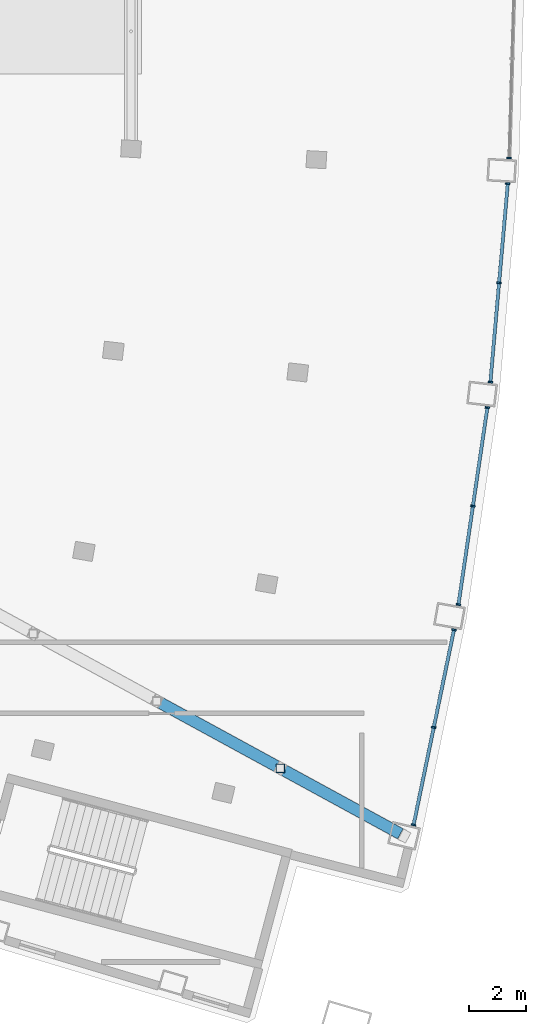
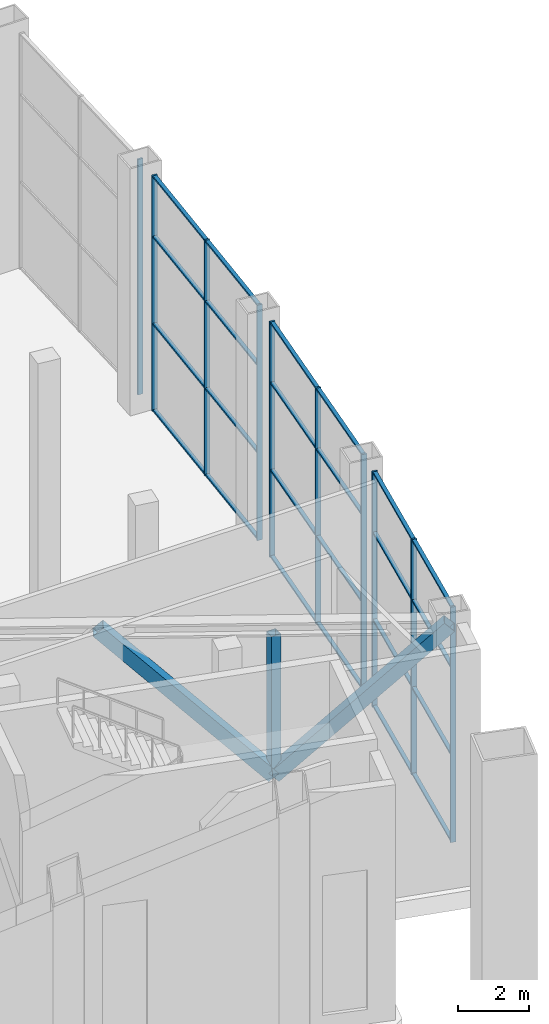
# One storey, part 9 of 25: 37 members, 4 elements without a shape of their own.
"""IFC4 building model written with IfcOpenShell, lengths in metres."""

from ifc_helpers import new_model, si_unit, direction, frame, origin, origin_2d, place, context, subcontext, project, spatial, rectangle, hollow_rectangle, extrude, material, layer, layer_set, material_profile, profile_set, type_object, element, aggregate, save


model = new_model("IFC4")

# Units and contexts
model_context = context("Model", 3, precision=1e-05, world=origin(), true_north=direction((0.0, 1.0)))
body_context = subcontext(model_context, "Body", "Model", "MODEL_VIEW")
ifc_project = project(units=[si_unit("LENGTHUNIT", "METRE"), si_unit("AREAUNIT", "SQUARE_METRE"), si_unit("VOLUMEUNIT", "CUBIC_METRE"), si_unit("PLANEANGLEUNIT", "RADIAN"), si_unit("MASSUNIT", "GRAM", prefix="KILO")], contexts=[model_context])

# Site, building, storey
site_placement = place(None, origin())
site = spatial("IfcSite", under=ifc_project, at=site_placement, CompositionType="ELEMENT")
building_placement = place(site_placement, origin())
building = spatial("IfcBuilding", under=site, at=building_placement, Name="Alderwake Tower", CompositionType="ELEMENT")
storey_placement = place(building_placement, frame((0.0, 0.0, 296.0)))
storey = spatial("IfcBuildingStorey", under=building, at=storey_placement, Name="L73", CompositionType="ELEMENT", Elevation=296.0)

# Curtain wall, members
ifc_material_1 = material(Name="Bronze tinted glass in aluminium frame", Category="aluminium")
ifc_layer = layer(ifc_material_1, 0.199951171875)
ifc_layer_set = layer_set([ifc_layer], Name="Curtain wall CW4 damper floor viewing glazing")
curtain_wall_type = type_object("IfcCurtainWallType", Name="Curtain wall CW4 damper floor viewing glazing", PredefinedType="NOTDEFINED", material=ifc_layer_set)
curtain_wall_1_placement = place(storey_placement, origin())
curtain_wall_1 = element("IfcCurtainWall", 1, at=curtain_wall_1_placement, inside=storey, type_object=curtain_wall_type, Name="Curtain wall 1", PredefinedType="NOTDEFINED")
ifc_material_2 = material(Name="Aluminium bronze anodised", Category="aluminium")
ifc_material_profile_1 = material_profile(ifc_material_2, rectangle(XDim=0.159912109375, YDim=0.06005859375, at=origin_2d()), Name="Mullion MUD 60x160")
ifc_profile_set_1 = profile_set([ifc_material_profile_1], Name="Aluminium bronze anodised")
member_type_1 = type_object("IfcMemberType", Name="Mullion MUD 60x160", PredefinedType="MULLION", material=ifc_profile_set_1)
member_1_placement = place(storey_placement, frame((52.065673828125, 30.0771484375, 0.0), z_axis=(0.0, 0.0, 1.0), x_axis=(-0.979228273012, 0.202760916683, 0.0)))
member_1 = element("IfcMember", 2, at=member_1_placement, type_object=member_type_1, Name="CW.01 mullion 1", PredefinedType="MULLION", context=body_context, shape_type="SweptSolid", body=[
    extrude(rectangle(XDim=0.159912109375, YDim=0.06005859375, at=origin_2d()), origin(), (0.0, 0.0, 1.0), 8.10009765625),
])
member_2_placement = place(storey_placement, frame((52.776123046875, 33.508544921875, 0.0), z_axis=(0.0, 0.0, 1.0), x_axis=(-0.979228273012, 0.202760916683, 0.0)))
member_2 = element("IfcMember", 3, at=member_2_placement, type_object=member_type_1, Name="CW.01 mullion 2", PredefinedType="MULLION", context=body_context, shape_type="SweptSolid", body=[
    extrude(rectangle(XDim=0.159912109375, YDim=0.06005859375, at=origin_2d()), origin(), (0.0, 0.0, 1.0), 8.10009765625),
])
member_3_placement = place(storey_placement, frame((53.486572265625, 36.93994140625, 0.0), z_axis=(0.0, 0.0, 1.0), x_axis=(-0.979228273012, 0.202760916683, 0.0)))
member_3 = element("IfcMember", 4, at=member_3_placement, type_object=member_type_1, Name="CW.01 mullion 3", PredefinedType="MULLION", context=body_context, shape_type="SweptSolid", body=[
    extrude(rectangle(XDim=0.159912109375, YDim=0.06005859375, at=origin_2d()), origin(), (0.0, 0.0, 1.0), 8.10009765625),
])

curtain_wall_2_placement = place(storey_placement, origin())
curtain_wall_2 = element("IfcCurtainWall", 5, at=curtain_wall_2_placement, inside=storey, type_object=curtain_wall_type, Name="Curtain wall 2", PredefinedType="NOTDEFINED")
member_4_placement = place(storey_placement, frame((53.643798828125, 37.8291015625, 0.0), z_axis=(0.0, 0.0, 1.0), x_axis=(-0.989386131779, 0.145310296412, 0.0)))
member_4 = element("IfcMember", 6, at=member_4_placement, type_object=member_type_1, Name="CW.02 mullion 1", PredefinedType="MULLION", context=body_context, shape_type="SweptSolid", body=[
    extrude(rectangle(XDim=0.159912109375, YDim=0.06005859375, at=origin_2d()), origin(), (0.0, 0.0, 1.0), 8.10009765625),
])
member_5_placement = place(storey_placement, frame((54.15283203125, 41.296142578125, 0.0), z_axis=(0.0, 0.0, 1.0), x_axis=(-0.989386131779, 0.145310296412, 0.0)))
member_5 = element("IfcMember", 7, at=member_5_placement, type_object=member_type_1, Name="CW.02 mullion 2", PredefinedType="MULLION", context=body_context, shape_type="SweptSolid", body=[
    extrude(rectangle(XDim=0.159912109375, YDim=0.06005859375, at=origin_2d()), origin(), (0.0, 0.0, 1.0), 8.10009765625),
])
member_6_placement = place(storey_placement, frame((54.662109375, 44.76318359375, 0.0), z_axis=(0.0, 0.0, 1.0), x_axis=(-0.989386131779, 0.145310296412, 0.0)))
member_6 = element("IfcMember", 8, at=member_6_placement, type_object=member_type_1, Name="CW.02 mullion 3", PredefinedType="MULLION", context=body_context, shape_type="SweptSolid", body=[
    extrude(rectangle(XDim=0.159912109375, YDim=0.06005859375, at=origin_2d()), origin(), (0.0, 0.0, 1.0), 8.10009765625),
])

curtain_wall_3_placement = place(storey_placement, origin())
curtain_wall_3 = element("IfcCurtainWall", 9, at=curtain_wall_3_placement, inside=storey, type_object=curtain_wall_type, Name="Curtain wall 3", PredefinedType="NOTDEFINED")
member_7_placement = place(storey_placement, frame((54.767333984375, 45.659912109375, 0.0), z_axis=(0.0, 0.0, 1.0), x_axis=(-0.996174205388, 0.087389659115, 0.0)))
member_7 = element("IfcMember", 10, at=member_7_placement, type_object=member_type_1, Name="CW.03 mullion 1", PredefinedType="MULLION", context=body_context, shape_type="SweptSolid", body=[
    extrude(rectangle(XDim=0.159912109375, YDim=0.06005859375, at=origin_2d()), origin(), (0.0, 0.0, 1.0), 8.10009765625),
])
member_8_placement = place(storey_placement, frame((55.073486328125, 49.150634765625, 0.0), z_axis=(0.0, 0.0, 1.0), x_axis=(-0.996174205388, 0.087389659115, 0.0)))
member_8 = element("IfcMember", 11, at=member_8_placement, type_object=member_type_1, Name="CW.03 mullion 2", PredefinedType="MULLION", context=body_context, shape_type="SweptSolid", body=[
    extrude(rectangle(XDim=0.159912109375, YDim=0.06005859375, at=origin_2d()), origin(), (0.0, 0.0, 1.0), 8.10009765625),
])
member_9_placement = place(storey_placement, frame((55.3798828125, 52.6416015625, 0.0), z_axis=(0.0, 0.0, 1.0), x_axis=(-0.996174205388, 0.087389659115, 0.0)))
member_9 = element("IfcMember", 12, at=member_9_placement, type_object=member_type_1, Name="CW.03 mullion 3", PredefinedType="MULLION", context=body_context, shape_type="SweptSolid", body=[
    extrude(rectangle(XDim=0.159912109375, YDim=0.06005859375, at=origin_2d()), origin(), (0.0, 0.0, 1.0), 8.10009765625),
])

# Curtain wall, member
curtain_wall_4_placement = place(storey_placement, origin())
curtain_wall_4 = element("IfcCurtainWall", 13, at=curtain_wall_4_placement, inside=storey, type_object=curtain_wall_type, Name="Curtain wall 4", PredefinedType="NOTDEFINED")
member_10_placement = place(storey_placement, frame((55.432373046875, 53.54296875, 0.0), z_axis=(0.0, 0.0, 1.0), x_axis=(-0.99957482948, 0.029157507941, 0.0)))
member_10 = element("IfcMember", 14, at=member_10_placement, type_object=member_type_1, Name="CW.04 mullion 1", PredefinedType="MULLION", context=body_context, shape_type="SweptSolid", body=[
    extrude(rectangle(XDim=0.159912109375, YDim=0.06005859375, at=origin_2d()), origin(), (0.0, 0.0, 1.0), 8.10009765625),
])
aggregate(curtain_wall_4, [member_10])

# Members
ifc_material_3 = material(Name="Steel ASTM A500 Grade C", Category="steel")
ifc_material_profile_2 = material_profile(ifc_material_3, hollow_rectangle(XDim=0.406494140625, YDim=0.406494140625, WallThickness=0.014892578125, at=origin_2d()), Name="HSS16X16X5/8")
ifc_profile_set_2 = profile_set([ifc_material_profile_2], Name="Steel ASTM A500 Grade C")
member_type_2 = type_object("IfcMemberType", Name="Outrigger truss diagonal HSS16X16X5/8", PredefinedType="BRACE", material=ifc_profile_set_2)
member_11_placement = place(storey_placement, frame((47.38330078125, 32.064453125, 2.7822265625), z_axis=(-0.612427707322, 0.334142153017, 0.716436546305), x_axis=(-0.478952298212, -0.877840928664, 0.0)))
element("IfcMember", 15, at=member_11_placement, inside=storey, type_object=member_type_2, Name="Outrigger truss diagonal DT73SF.D4", PredefinedType="BRACE", context=body_context, shape_type="SweptSolid", body=[
    extrude(hollow_rectangle(XDim=0.406494140625, YDim=0.406494140625, WallThickness=0.014892578125, at=origin_2d()), origin(), (0.0, 0.0, 1.0), 7.09814453125),
])
member_12_placement = place(storey_placement, frame((47.38330078125, 32.064453125, 2.7822265625), z_axis=(0.61244920085, -0.334135114632, 0.716421455254), x_axis=(0.478931570969, 0.877852237184, 0.0)))
element("IfcMember", 16, at=member_12_placement, inside=storey, type_object=member_type_2, Name="Outrigger truss diagonal DT73SF.D5", PredefinedType="BRACE", context=body_context, shape_type="SweptSolid", body=[
    extrude(hollow_rectangle(XDim=0.406494140625, YDim=0.406494140625, WallThickness=0.014892578125, at=origin_2d()), origin(), (0.0, 0.0, 1.0), 7.098388671875),
])
ifc_material_4 = material(Name="Steel ASTM A500 Grade C", Category="steel")
ifc_material_profile_3 = material_profile(ifc_material_4, hollow_rectangle(XDim=0.3046875, YDim=0.3046875, WallThickness=0.01171875, at=origin_2d()), Name="HSS12X12X1/2")
ifc_profile_set_3 = profile_set([ifc_material_profile_3], Name="Steel ASTM A500 Grade C")
member_type_3 = type_object("IfcMemberType", Name="Outrigger truss post HSS12X12X1/2", PredefinedType="POST", material=ifc_profile_set_3)
member_13_placement = place(storey_placement, frame((47.38330078125, 32.064453125, 3.0146484375), z_axis=(0.0, 0.0, 1.0), x_axis=(1.0, 0.0, 0.0)))
element("IfcMember", 17, at=member_13_placement, inside=storey, type_object=member_type_3, Name="Outrigger truss post DT73SF.P4", PredefinedType="POST", context=body_context, shape_type="SweptSolid", body=[
    extrude(hollow_rectangle(XDim=0.3046875, YDim=0.3046875, WallThickness=0.01171875, at=origin_2d()), origin(), (0.0, 0.0, 1.0), 4.620849609375),
])

# Member
ifc_material_5 = material(Name="Aluminium bronze anodised", Category="aluminium")
ifc_material_profile_4 = material_profile(ifc_material_5, rectangle(XDim=0.1201171875, YDim=0.06005859375, at=origin_2d()), Name="Transom TRD 60x120")
ifc_profile_set_4 = profile_set([ifc_material_profile_4], Name="Aluminium bronze anodised")
member_type_4 = type_object("IfcMemberType", Name="Transom TRD 60x120", PredefinedType="USERDEFINED", material=ifc_profile_set_4)
member_14_placement = place(storey_placement, frame((52.07177734375, 30.1064453125, 0.030029296875), z_axis=(0.202736868482, 0.979233252171, 0.0), x_axis=(-0.979233252171, 0.202736868482, 0.0)))
member_14 = element("IfcMember", 18, at=member_14_placement, type_object=member_type_4, Name="CW.01 transom 1.1", ObjectType="TRANSOM", PredefinedType="USERDEFINED", context=body_context, shape_type="SweptSolid", body=[
    extrude(rectangle(XDim=0.1201171875, YDim=0.06005859375, at=origin_2d()), origin(), (0.0, 0.0, 1.0), 3.444091796875),
])

member_15_placement = place(storey_placement, frame((52.07177734375, 30.1064453125, 3.0), z_axis=(0.202736868482, 0.979233252171, 0.0), x_axis=(-0.979233252171, 0.202736868482, 0.0)))
member_15 = element("IfcMember", 19, at=member_15_placement, type_object=member_type_4, Name="CW.01 transom 1.2", ObjectType="TRANSOM", PredefinedType="USERDEFINED", context=body_context, shape_type="SweptSolid", body=[
    extrude(rectangle(XDim=0.1201171875, YDim=0.06005859375, at=origin_2d()), origin(), (0.0, 0.0, 1.0), 3.444091796875),
])

member_16_placement = place(storey_placement, frame((52.07177734375, 30.1064453125, 6.0), z_axis=(0.202736868482, 0.979233252171, 0.0), x_axis=(-0.979233252171, 0.202736868482, 0.0)))
member_16 = element("IfcMember", 20, at=member_16_placement, type_object=member_type_4, Name="CW.01 transom 1.3", ObjectType="TRANSOM", PredefinedType="USERDEFINED", context=body_context, shape_type="SweptSolid", body=[
    extrude(rectangle(XDim=0.1201171875, YDim=0.06005859375, at=origin_2d()), origin(), (0.0, 0.0, 1.0), 3.444091796875),
])

member_17_placement = place(storey_placement, frame((52.07177734375, 30.1064453125, 8.070068359375), z_axis=(0.202736868482, 0.979233252171, 0.0), x_axis=(-0.979233252171, 0.202736868482, 0.0)))
member_17 = element("IfcMember", 21, at=member_17_placement, type_object=member_type_4, Name="CW.01 transom 1.4", ObjectType="TRANSOM", PredefinedType="USERDEFINED", context=body_context, shape_type="SweptSolid", body=[
    extrude(rectangle(XDim=0.1201171875, YDim=0.06005859375, at=origin_2d()), origin(), (0.0, 0.0, 1.0), 3.444091796875),
])

member_18_placement = place(storey_placement, frame((52.7822265625, 33.537841796875, 0.030029296875), z_axis=(0.202722796474, 0.979236165483, 0.0), x_axis=(-0.979236165483, 0.202722796474, 0.0)))
member_18 = element("IfcMember", 22, at=member_18_placement, type_object=member_type_4, Name="CW.01 transom 2.1", ObjectType="TRANSOM", PredefinedType="USERDEFINED", context=body_context, shape_type="SweptSolid", body=[
    extrude(rectangle(XDim=0.1201171875, YDim=0.06005859375, at=origin_2d()), origin(), (0.0, 0.0, 1.0), 3.4443359375),
])

member_19_placement = place(storey_placement, frame((52.7822265625, 33.537841796875, 3.0), z_axis=(0.202722796474, 0.979236165483, 0.0), x_axis=(-0.979236165483, 0.202722796474, 0.0)))
member_19 = element("IfcMember", 23, at=member_19_placement, type_object=member_type_4, Name="CW.01 transom 2.2", ObjectType="TRANSOM", PredefinedType="USERDEFINED", context=body_context, shape_type="SweptSolid", body=[
    extrude(rectangle(XDim=0.1201171875, YDim=0.06005859375, at=origin_2d()), origin(), (0.0, 0.0, 1.0), 3.4443359375),
])

member_20_placement = place(storey_placement, frame((52.7822265625, 33.537841796875, 6.0), z_axis=(0.202722796474, 0.979236165483, 0.0), x_axis=(-0.979236165483, 0.202722796474, 0.0)))
member_20 = element("IfcMember", 24, at=member_20_placement, type_object=member_type_4, Name="CW.01 transom 2.3", ObjectType="TRANSOM", PredefinedType="USERDEFINED", context=body_context, shape_type="SweptSolid", body=[
    extrude(rectangle(XDim=0.1201171875, YDim=0.06005859375, at=origin_2d()), origin(), (0.0, 0.0, 1.0), 3.4443359375),
])

member_21_placement = place(storey_placement, frame((52.7822265625, 33.537841796875, 8.070068359375), z_axis=(0.202722796474, 0.979236165483, 0.0), x_axis=(-0.979236165483, 0.202722796474, 0.0)))
member_21 = element("IfcMember", 25, at=member_21_placement, type_object=member_type_4, Name="CW.01 transom 2.4", ObjectType="TRANSOM", PredefinedType="USERDEFINED", context=body_context, shape_type="SweptSolid", body=[
    extrude(rectangle(XDim=0.1201171875, YDim=0.06005859375, at=origin_2d()), origin(), (0.0, 0.0, 1.0), 3.4443359375),
])

aggregate(curtain_wall_1, [member_1, member_2, member_3, member_14, member_15, member_16, member_17, member_18, member_19, member_20, member_21])

member_22_placement = place(storey_placement, frame((53.648193359375, 37.85888671875, 0.030029296875), z_axis=(0.145320519597, 0.989384630255, 0.0), x_axis=(-0.989384630255, 0.145320519597, 0.0)))
member_22 = element("IfcMember", 26, at=member_22_placement, type_object=member_type_4, Name="CW.02 transom 1.1", ObjectType="TRANSOM", PredefinedType="USERDEFINED", context=body_context, shape_type="SweptSolid", body=[
    extrude(rectangle(XDim=0.1201171875, YDim=0.06005859375, at=origin_2d()), origin(), (0.0, 0.0, 1.0), 3.444091796875),
])

member_23_placement = place(storey_placement, frame((53.648193359375, 37.85888671875, 3.0), z_axis=(0.145320519597, 0.989384630255, 0.0), x_axis=(-0.989384630255, 0.145320519597, 0.0)))
member_23 = element("IfcMember", 27, at=member_23_placement, type_object=member_type_4, Name="CW.02 transom 1.2", ObjectType="TRANSOM", PredefinedType="USERDEFINED", context=body_context, shape_type="SweptSolid", body=[
    extrude(rectangle(XDim=0.1201171875, YDim=0.06005859375, at=origin_2d()), origin(), (0.0, 0.0, 1.0), 3.444091796875),
])

member_24_placement = place(storey_placement, frame((53.648193359375, 37.85888671875, 6.0), z_axis=(0.145320519597, 0.989384630255, 0.0), x_axis=(-0.989384630255, 0.145320519597, 0.0)))
member_24 = element("IfcMember", 28, at=member_24_placement, type_object=member_type_4, Name="CW.02 transom 1.3", ObjectType="TRANSOM", PredefinedType="USERDEFINED", context=body_context, shape_type="SweptSolid", body=[
    extrude(rectangle(XDim=0.1201171875, YDim=0.06005859375, at=origin_2d()), origin(), (0.0, 0.0, 1.0), 3.444091796875),
])

member_25_placement = place(storey_placement, frame((53.648193359375, 37.85888671875, 8.070068359375), z_axis=(0.145320519597, 0.989384630255, 0.0), x_axis=(-0.989384630255, 0.145320519597, 0.0)))
member_25 = element("IfcMember", 29, at=member_25_placement, type_object=member_type_4, Name="CW.02 transom 1.4", ObjectType="TRANSOM", PredefinedType="USERDEFINED", context=body_context, shape_type="SweptSolid", body=[
    extrude(rectangle(XDim=0.1201171875, YDim=0.06005859375, at=origin_2d()), origin(), (0.0, 0.0, 1.0), 3.444091796875),
])

member_26_placement = place(storey_placement, frame((54.1572265625, 41.325927734375, 0.030029296875), z_axis=(0.145320519597, 0.989384630255, 0.0), x_axis=(-0.989384630255, 0.145320519597, 0.0)))
member_26 = element("IfcMember", 30, at=member_26_placement, type_object=member_type_4, Name="CW.02 transom 2.1", ObjectType="TRANSOM", PredefinedType="USERDEFINED", context=body_context, shape_type="SweptSolid", body=[
    extrude(rectangle(XDim=0.1201171875, YDim=0.06005859375, at=origin_2d()), origin(), (0.0, 0.0, 1.0), 3.444091796875),
])

member_27_placement = place(storey_placement, frame((54.1572265625, 41.325927734375, 3.0), z_axis=(0.145320519597, 0.989384630255, 0.0), x_axis=(-0.989384630255, 0.145320519597, 0.0)))
member_27 = element("IfcMember", 31, at=member_27_placement, type_object=member_type_4, Name="CW.02 transom 2.2", ObjectType="TRANSOM", PredefinedType="USERDEFINED", context=body_context, shape_type="SweptSolid", body=[
    extrude(rectangle(XDim=0.1201171875, YDim=0.06005859375, at=origin_2d()), origin(), (0.0, 0.0, 1.0), 3.444091796875),
])

member_28_placement = place(storey_placement, frame((54.1572265625, 41.325927734375, 6.0), z_axis=(0.145320519597, 0.989384630255, 0.0), x_axis=(-0.989384630255, 0.145320519597, 0.0)))
member_28 = element("IfcMember", 32, at=member_28_placement, type_object=member_type_4, Name="CW.02 transom 2.3", ObjectType="TRANSOM", PredefinedType="USERDEFINED", context=body_context, shape_type="SweptSolid", body=[
    extrude(rectangle(XDim=0.1201171875, YDim=0.06005859375, at=origin_2d()), origin(), (0.0, 0.0, 1.0), 3.444091796875),
])

member_29_placement = place(storey_placement, frame((54.1572265625, 41.325927734375, 8.070068359375), z_axis=(0.145320519597, 0.989384630255, 0.0), x_axis=(-0.989384630255, 0.145320519597, 0.0)))
member_29 = element("IfcMember", 33, at=member_29_placement, type_object=member_type_4, Name="CW.02 transom 2.4", ObjectType="TRANSOM", PredefinedType="USERDEFINED", context=body_context, shape_type="SweptSolid", body=[
    extrude(rectangle(XDim=0.1201171875, YDim=0.06005859375, at=origin_2d()), origin(), (0.0, 0.0, 1.0), 3.444091796875),
])

aggregate(curtain_wall_2, [member_4, member_5, member_6, member_22, member_23, member_24, member_25, member_26, member_27, member_28, member_29])

member_30_placement = place(storey_placement, frame((54.77001953125, 45.68994140625, 0.030029296875), z_axis=(0.087403493823, 0.996172991637, 0.0), x_axis=(-0.996172991637, 0.087403493823, 0.0)))
member_30 = element("IfcMember", 34, at=member_30_placement, type_object=member_type_4, Name="CW.03 transom 1.1", ObjectType="TRANSOM", PredefinedType="USERDEFINED", context=body_context, shape_type="SweptSolid", body=[
    extrude(rectangle(XDim=0.1201171875, YDim=0.06005859375, at=origin_2d()), origin(), (0.0, 0.0, 1.0), 3.444091796875),
])

member_31_placement = place(storey_placement, frame((54.77001953125, 45.68994140625, 3.0), z_axis=(0.087403493823, 0.996172991637, 0.0), x_axis=(-0.996172991637, 0.087403493823, 0.0)))
member_31 = element("IfcMember", 35, at=member_31_placement, type_object=member_type_4, Name="CW.03 transom 1.2", ObjectType="TRANSOM", PredefinedType="USERDEFINED", context=body_context, shape_type="SweptSolid", body=[
    extrude(rectangle(XDim=0.1201171875, YDim=0.06005859375, at=origin_2d()), origin(), (0.0, 0.0, 1.0), 3.444091796875),
])

member_32_placement = place(storey_placement, frame((54.77001953125, 45.68994140625, 6.0), z_axis=(0.087403493823, 0.996172991637, 0.0), x_axis=(-0.996172991637, 0.087403493823, 0.0)))
member_32 = element("IfcMember", 36, at=member_32_placement, type_object=member_type_4, Name="CW.03 transom 1.3", ObjectType="TRANSOM", PredefinedType="USERDEFINED", context=body_context, shape_type="SweptSolid", body=[
    extrude(rectangle(XDim=0.1201171875, YDim=0.06005859375, at=origin_2d()), origin(), (0.0, 0.0, 1.0), 3.444091796875),
])

member_33_placement = place(storey_placement, frame((54.77001953125, 45.68994140625, 8.070068359375), z_axis=(0.087403493823, 0.996172991637, 0.0), x_axis=(-0.996172991637, 0.087403493823, 0.0)))
member_33 = element("IfcMember", 37, at=member_33_placement, type_object=member_type_4, Name="CW.03 transom 1.4", ObjectType="TRANSOM", PredefinedType="USERDEFINED", context=body_context, shape_type="SweptSolid", body=[
    extrude(rectangle(XDim=0.1201171875, YDim=0.06005859375, at=origin_2d()), origin(), (0.0, 0.0, 1.0), 3.444091796875),
])

member_34_placement = place(storey_placement, frame((55.076171875, 49.1806640625, 0.030029296875), z_axis=(0.087403493823, 0.996172991637, 0.0), x_axis=(-0.996172991637, 0.087403493823, 0.0)))
member_34 = element("IfcMember", 38, at=member_34_placement, type_object=member_type_4, Name="CW.03 transom 2.1", ObjectType="TRANSOM", PredefinedType="USERDEFINED", context=body_context, shape_type="SweptSolid", body=[
    extrude(rectangle(XDim=0.1201171875, YDim=0.06005859375, at=origin_2d()), origin(), (0.0, 0.0, 1.0), 3.444091796875),
])

member_35_placement = place(storey_placement, frame((55.076171875, 49.1806640625, 3.0), z_axis=(0.087403493823, 0.996172991637, 0.0), x_axis=(-0.996172991637, 0.087403493823, 0.0)))
member_35 = element("IfcMember", 39, at=member_35_placement, type_object=member_type_4, Name="CW.03 transom 2.2", ObjectType="TRANSOM", PredefinedType="USERDEFINED", context=body_context, shape_type="SweptSolid", body=[
    extrude(rectangle(XDim=0.1201171875, YDim=0.06005859375, at=origin_2d()), origin(), (0.0, 0.0, 1.0), 3.444091796875),
])

member_36_placement = place(storey_placement, frame((55.076171875, 49.1806640625, 6.0), z_axis=(0.087403493823, 0.996172991637, 0.0), x_axis=(-0.996172991637, 0.087403493823, 0.0)))
member_36 = element("IfcMember", 40, at=member_36_placement, type_object=member_type_4, Name="CW.03 transom 2.3", ObjectType="TRANSOM", PredefinedType="USERDEFINED", context=body_context, shape_type="SweptSolid", body=[
    extrude(rectangle(XDim=0.1201171875, YDim=0.06005859375, at=origin_2d()), origin(), (0.0, 0.0, 1.0), 3.444091796875),
])

member_37_placement = place(storey_placement, frame((55.076171875, 49.1806640625, 8.070068359375), z_axis=(0.087403493823, 0.996172991637, 0.0), x_axis=(-0.996172991637, 0.087403493823, 0.0)))
member_37 = element("IfcMember", 41, at=member_37_placement, type_object=member_type_4, Name="CW.03 transom 2.4", ObjectType="TRANSOM", PredefinedType="USERDEFINED", context=body_context, shape_type="SweptSolid", body=[
    extrude(rectangle(XDim=0.1201171875, YDim=0.06005859375, at=origin_2d()), origin(), (0.0, 0.0, 1.0), 3.444091796875),
])

aggregate(curtain_wall_3, [member_7, member_8, member_9, member_30, member_31, member_32, member_33, member_34, member_35, member_36, member_37])

save(model, "model.ifc")
